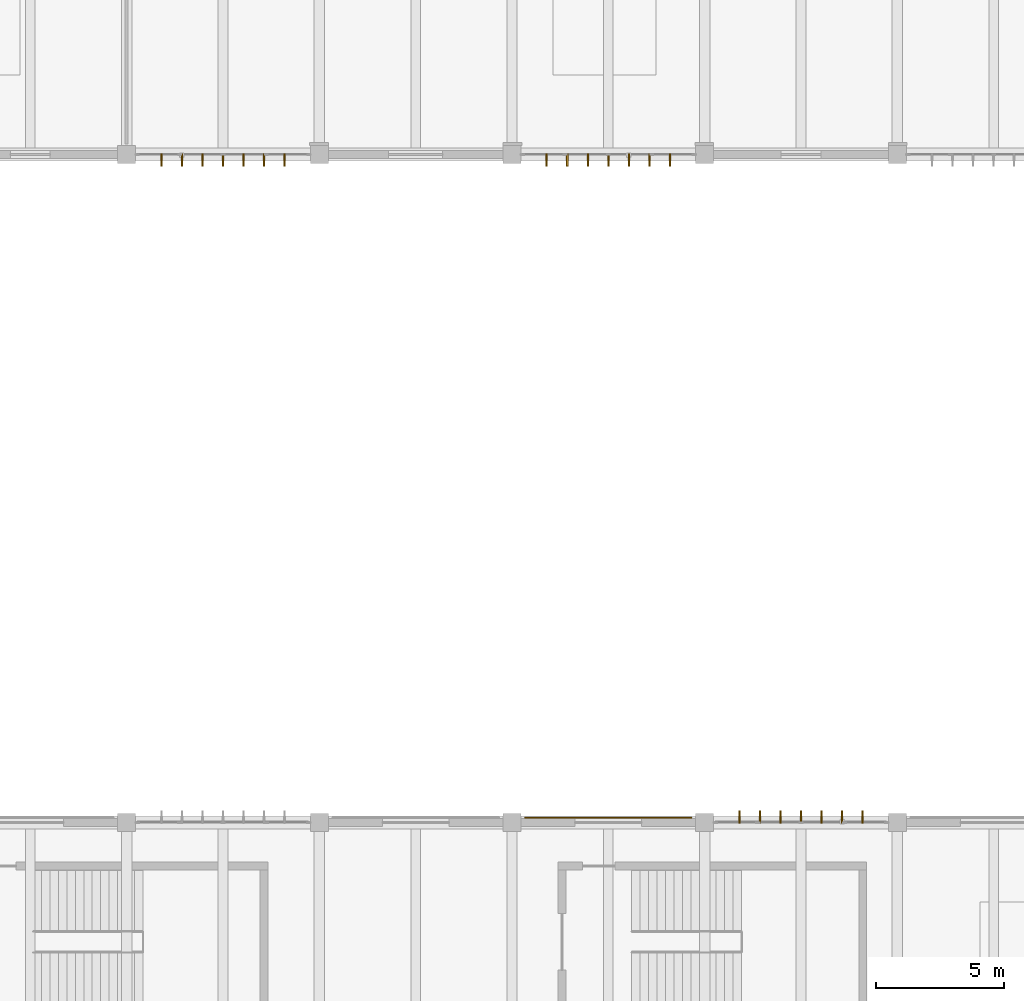
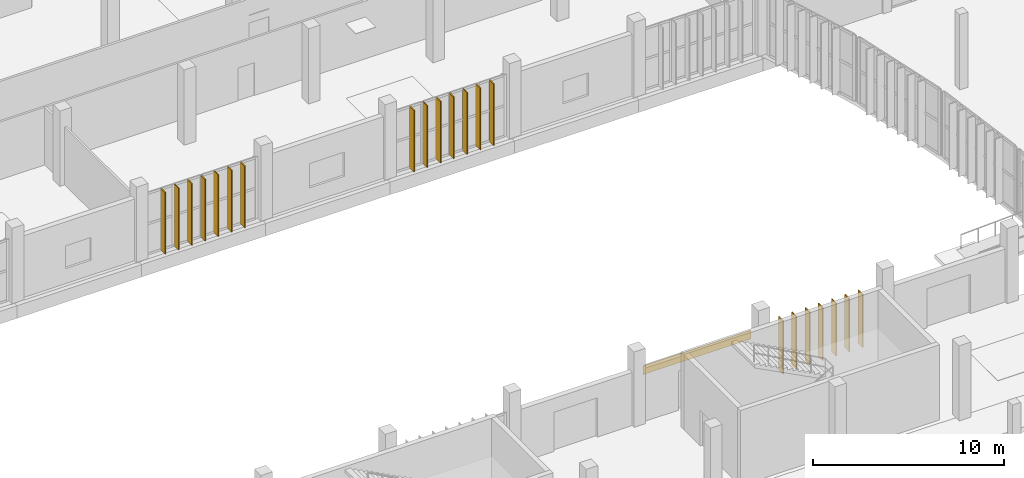
# One storey, part 66 of 72: 21 shading devices, 1 covering.
"""IFC4 building model written with IfcOpenShell, lengths in metres."""

from ifc_helpers import new_model, si_unit, direction, frame, origin, origin_2d, place, context, subcontext, project, spatial, rectangle, extrude, material, layer, layer_set, material_profile, profile_set, type_object, element, save


model = new_model("IFC4")

# Units and contexts
model_context = context("Model", 3, precision=1e-05, world=origin(), true_north=direction((0.0, 1.0)))
body_context = subcontext(model_context, "Body", "Model", "MODEL_VIEW")
ifc_project = project(units=[si_unit("LENGTHUNIT", "METRE"), si_unit("AREAUNIT", "SQUARE_METRE"), si_unit("VOLUMEUNIT", "CUBIC_METRE"), si_unit("PLANEANGLEUNIT", "RADIAN"), si_unit("MASSUNIT", "GRAM", prefix="KILO")], contexts=[model_context])

# Site, building, storey
site_placement = place(None, origin())
site = spatial("IfcSite", under=ifc_project, at=site_placement, CompositionType="ELEMENT")
building_placement = place(site_placement, origin())
building = spatial("IfcBuilding", under=site, at=building_placement, Name="Vourika Railside Aquatics Centre", CompositionType="ELEMENT")
storey_placement = place(building_placement, origin())
storey = spatial("IfcBuildingStorey", under=building, at=storey_placement, Name="L00", CompositionType="ELEMENT", Elevation=0.0)

# Covering
ifc_material_1 = material(Name="Bronze-anodized aluminium rainscreen", Category="aluminium")
ifc_layer = layer(ifc_material_1, 0.044921875, Name="COV-CLAD-45")
ifc_layer_set = layer_set([ifc_layer], Name="Bronze-anodized aluminium rainscreen")
covering_type = type_object("IfcCoveringType", Name="COV-CLAD-45", PredefinedType="CLADDING", material=ifc_layer_set)
covering_placement = place(storey_placement, frame((114.75, 66.179931640625, 2.7548828125), z_axis=(0.0, 0.0, 1.0), x_axis=(-1.0, 0.0, 0.0)))
element("IfcCovering", 1, at=covering_placement, inside=storey, type_object=covering_type, Name="Perforated Bronze Rainscreen Band CL-007", PredefinedType="CLADDING", context=body_context, shape_type="SweptSolid", body=[
    extrude(rectangle(XDim=6.5, YDim=0.044921875, at=origin_2d()), origin(), (0.0, 0.0, 1.0), 0.550048828125),
])

# Shading devices
ifc_material_2 = material(Name="Bronze-anodized extruded aluminium", Category="aluminium")
ifc_material_profile = material_profile(ifc_material_2, rectangle(XDim=0.06005859375, YDim=0.47998046875, at=origin_2d()), Name="ALU-FIN 60x480")
ifc_profile_set = profile_set([ifc_material_profile], Name="Bronze-anodized extruded aluminium")
shading_device_type = type_object("IfcShadingDeviceType", Name="SHD-FIN-F48A", PredefinedType="USERDEFINED", material=ifc_profile_set)
for number, where, z_axis, x_axis, name in (
    (2, (119.85009765625, 66.215087890625, 0.0), (0.0, 0.0, 1.0), (1.0, 0.0, 0.0), "Vertical Solar Fin VSF-0266"),
    (3, (120.64990234375, 66.215087890625, 0.0), (0.0, 0.0, 1.0), (1.0, 0.0, 0.0), "Vertical Solar Fin VSF-0267"),
    (4, (121.449951171875, 66.215087890625, 0.0), (0.0, 0.0, 1.0), (1.0, 0.0, 0.0), "Vertical Solar Fin VSF-0268"),
    (5, (122.25, 66.215087890625, 0.0), (0.0, 0.0, 1.0), (1.0, 0.0, 0.0), "Vertical Solar Fin VSF-0269"),
    (6, (123.050048828125, 66.215087890625, 0.0), (0.0, 0.0, 1.0), (1.0, 0.0, 0.0), "Vertical Solar Fin VSF-0270"),
    (7, (123.85009765625, 66.215087890625, 0.0), (0.0, 0.0, 1.0), (1.0, 0.0, 0.0), "Vertical Solar Fin VSF-0271"),
    (8, (124.64990234375, 66.215087890625, 0.0), (0.0, 0.0, 1.0), (1.0, 0.0, 0.0), "Vertical Solar Fin VSF-0272"),
):
    element("IfcShadingDevice", number, at=place(storey_placement, frame(where, z_axis=z_axis, x_axis=x_axis)), inside=storey, type_object=shading_device_type, Name=name, ObjectType="FIN", PredefinedType="USERDEFINED", context=body_context, shape_type="SweptSolid", body=[
        extrude(rectangle(XDim=0.06005859375, YDim=0.47998046875, at=origin_2d()), origin(), (0.0, 0.0, 1.0), 3.3798828125),
    ])
for number, where, z_axis, x_axis, name in (
    (9, (97.35009765625, 91.784912109375, 0.0), (0.0, 0.0, 1.0), (-1.0, 0.0, 0.0), "Vertical Solar Fin VSF-0670"),
    (10, (98.14990234375, 91.784912109375, 0.0), (0.0, 0.0, 1.0), (-1.0, 0.0, 0.0), "Vertical Solar Fin VSF-0671"),
    (11, (98.949951171875, 91.784912109375, 0.0), (0.0, 0.0, 1.0), (-1.0, 0.0, 0.0), "Vertical Solar Fin VSF-0672"),
    (12, (99.75, 91.784912109375, 0.0), (0.0, 0.0, 1.0), (-1.0, 0.0, 0.0), "Vertical Solar Fin VSF-0673"),
    (13, (100.550048828125, 91.784912109375, 0.0), (0.0, 0.0, 1.0), (-1.0, 0.0, 0.0), "Vertical Solar Fin VSF-0674"),
    (14, (101.35009765625, 91.784912109375, 0.0), (0.0, 0.0, 1.0), (-1.0, 0.0, 0.0), "Vertical Solar Fin VSF-0675"),
    (15, (102.14990234375, 91.784912109375, 0.0), (0.0, 0.0, 1.0), (-1.0, 0.0, 0.0), "Vertical Solar Fin VSF-0676"),
    (16, (112.35009765625, 91.784912109375, 0.0), (0.0, 0.0, 1.0), (-1.0, 0.0, 0.0), "Vertical Solar Fin VSF-0677"),
    (17, (113.14990234375, 91.784912109375, 0.0), (0.0, 0.0, 1.0), (-1.0, 0.0, 0.0), "Vertical Solar Fin VSF-0678"),
    (18, (113.949951171875, 91.784912109375, 0.0), (0.0, 0.0, 1.0), (-1.0, 0.0, 0.0), "Vertical Solar Fin VSF-0679"),
    (19, (114.75, 91.784912109375, 0.0), (0.0, 0.0, 1.0), (-1.0, 0.0, 0.0), "Vertical Solar Fin VSF-0680"),
    (20, (115.550048828125, 91.784912109375, 0.0), (0.0, 0.0, 1.0), (-1.0, 0.0, 0.0), "Vertical Solar Fin VSF-0681"),
    (21, (116.35009765625, 91.784912109375, 0.0), (0.0, 0.0, 1.0), (-1.0, 0.0, 0.0), "Vertical Solar Fin VSF-0682"),
    (22, (117.14990234375, 91.784912109375, 0.0), (0.0, 0.0, 1.0), (-1.0, 0.0, 0.0), "Vertical Solar Fin VSF-0683"),
):
    element("IfcShadingDevice", number, at=place(storey_placement, frame(where, z_axis=z_axis, x_axis=x_axis)), inside=storey, type_object=shading_device_type, Name=name, ObjectType="FIN", PredefinedType="USERDEFINED", context=body_context, shape_type="SweptSolid", body=[
        extrude(rectangle(XDim=0.06005859375, YDim=0.47998046875, at=origin_2d()), origin(), (0.0, 0.0, 1.0), 3.929931640625),
    ])

save(model, "model.ifc")
